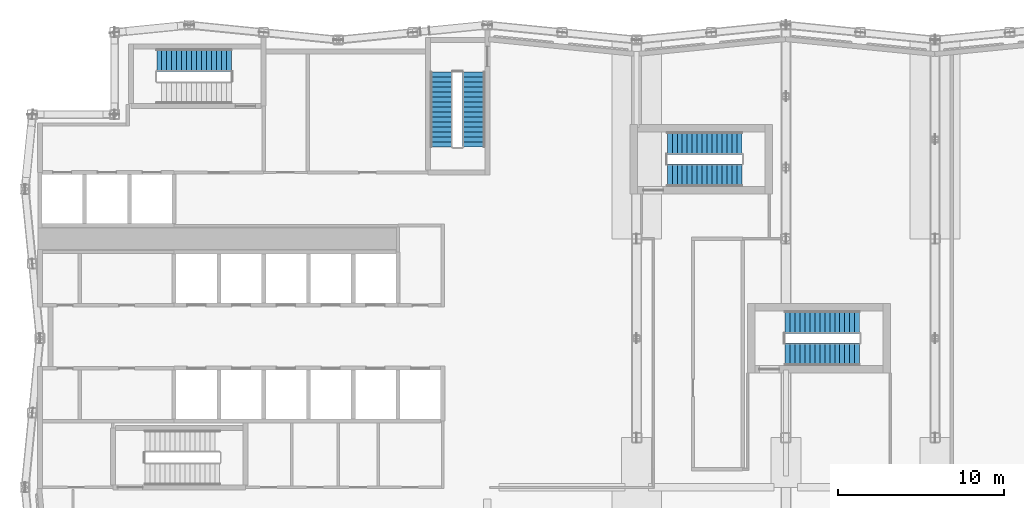
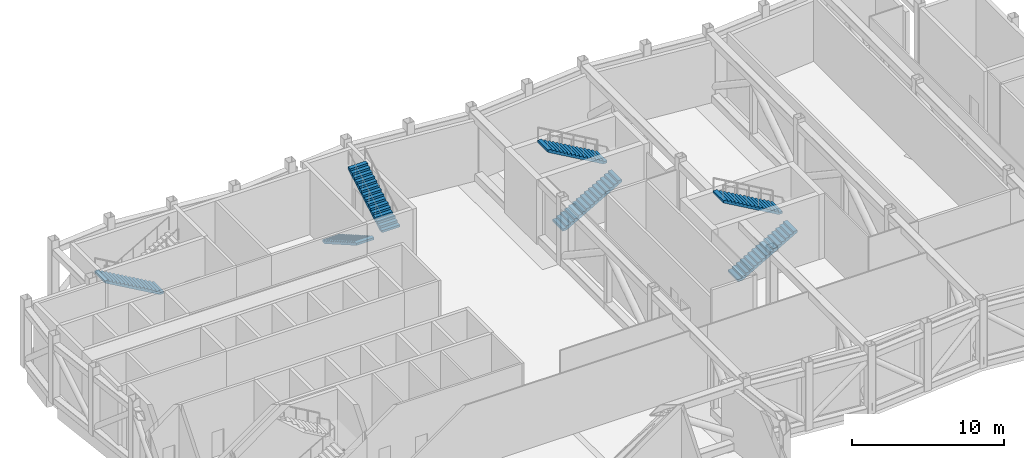
# One storey, part 13 of 22: 7 stair flights, 4 elements without a shape of their own.
"""IFC4 building model written with IfcOpenShell, lengths in metres."""

from ifc_helpers import new_model, si_unit, direction, frame, origin, place, context, subcontext, project, spatial, polyline, outline, extrude, material, type_object, element, aggregate, save


model = new_model("IFC4")

# Units and contexts
model_context = context("Model", 3, precision=1e-05, world=origin(), true_north=direction((0.0, 1.0)))
body_context = subcontext(model_context, "Body", "Model", "MODEL_VIEW")
ifc_project = project(units=[si_unit("LENGTHUNIT", "METRE"), si_unit("AREAUNIT", "SQUARE_METRE"), si_unit("VOLUMEUNIT", "CUBIC_METRE"), si_unit("PLANEANGLEUNIT", "RADIAN"), si_unit("MASSUNIT", "GRAM", prefix="KILO")], contexts=[model_context])

# Site, building, storey
site_placement = place(None, origin())
site = spatial("IfcSite", under=ifc_project, at=site_placement, CompositionType="ELEMENT")
building_placement = place(site_placement, origin())
building = spatial("IfcBuilding", under=site, at=building_placement, Name="Brondeck Convention Tower", CompositionType="ELEMENT")
storey_placement = place(building_placement, frame((0.0, 0.0, 32.0)))
storey = spatial("IfcBuildingStorey", under=building, at=storey_placement, Name="L05", CompositionType="ELEMENT", Elevation=32.0)

# Stair, stair flights
ifc_material = material(Name="Precast concrete C50/60", Category="concrete")
stair_type = type_object("IfcStairType", Name="Core stair 32 risers 171.88 mm riser 300 mm going 1350 wide", PredefinedType="HALF_TURN_STAIR", material=ifc_material)
stair_1_placement = place(storey_placement, origin())
stair_1 = element("IfcStair", 1, at=stair_1_placement, inside=storey, type_object=stair_type, Name="ST-2 L05 stair", PredefinedType="HALF_TURN_STAIR")
stair_flight_type = type_object("IfcStairFlightType", Name="Core stair flight 32 risers 171.88 mm riser 300 mm going 1350 wide", PredefinedType="STRAIGHT", material=ifc_material)
stair_flight_1_placement = place(storey_placement, frame((24.22509765625, 61.050048828125, 0.0), z_axis=(0.0, 0.0, 1.0), x_axis=(0.0, -1.0, 0.0)))
stair_flight_1 = element("IfcStairFlight", 2, at=stair_flight_1_placement, type_object=stair_flight_type, Name="ST-2 flight 1", NumberOfRisers=16, NumberOfTreads=15, PredefinedType="STRAIGHT", RiserHeight=0.171875, TreadLength=0.3, context=body_context, shape_type="SweptSolid", body=[
    extrude(outline(polyline([(0.0, 0.0), (0.0, 0.171875), (0.300048828125, 0.171875), (0.300048828125, 0.34375), (0.60009765625, 0.34375), (0.60009765625, 0.515625), (0.89990234375, 0.515625), (0.89990234375, 0.6875), (1.199951171875, 0.6875), (1.199951171875, 0.859375), (1.5, 0.859375), (1.5, 1.03125), (1.800048828125, 1.03125), (1.800048828125, 1.203125), (2.10009765625, 1.203125), (2.10009765625, 1.375), (2.39990234375, 1.375), (2.39990234375, 1.546875), (2.699951171875, 1.546875), (2.699951171875, 1.71875), (3.0, 1.71875), (3.0, 1.890625), (3.300048828125, 1.890625), (3.300048828125, 2.0625), (3.60009765625, 2.0625), (3.60009765625, 2.234375), (3.89990234375, 2.234375), (3.89990234375, 2.40625), (4.199951171875, 2.40625), (4.199951171875, 2.578125), (4.5, 2.578125), (4.5, 2.75), (4.5, 2.4052734375), (0.301513671875, 0.0), (0.0, 0.0)])), frame((0.0, 0.675048828125, 0.0), z_axis=(0.0, -1.0, 0.0), x_axis=(1.0, 0.0, 0.0)), (0.0, 0.0, 1.0), 1.35009765625),
])
stair_flight_2_placement = place(storey_placement, frame((26.175048828125, 56.550048828125, 2.75), z_axis=(0.0, 0.0, 1.0), x_axis=(0.0, 1.0, 0.0)))
stair_flight_2 = element("IfcStairFlight", 3, at=stair_flight_2_placement, type_object=stair_flight_type, Name="ST-2 flight 2", NumberOfRisers=16, NumberOfTreads=15, PredefinedType="STRAIGHT", RiserHeight=0.171875, TreadLength=0.3, context=body_context, shape_type="SweptSolid", body=[
    extrude(outline(polyline([(0.0, 0.0), (0.0, 0.171875), (0.300048828125, 0.171875), (0.300048828125, 0.34375), (0.60009765625, 0.34375), (0.60009765625, 0.515625), (0.89990234375, 0.515625), (0.89990234375, 0.6875), (1.199951171875, 0.6875), (1.199951171875, 0.859375), (1.5, 0.859375), (1.5, 1.03125), (1.800048828125, 1.03125), (1.800048828125, 1.203125), (2.10009765625, 1.203125), (2.10009765625, 1.375), (2.39990234375, 1.375), (2.39990234375, 1.546875), (2.699951171875, 1.546875), (2.699951171875, 1.71875), (3.0, 1.71875), (3.0, 1.890625), (3.300048828125, 1.890625), (3.300048828125, 2.0625), (3.60009765625, 2.0625), (3.60009765625, 2.234375), (3.89990234375, 2.234375), (3.89990234375, 2.40625), (4.199951171875, 2.40625), (4.199951171875, 2.578125), (4.5, 2.578125), (4.5, 2.75), (4.5, 2.4052734375), (0.301513671875, 0.0), (0.0, 0.0)])), frame((0.0, 0.675048828125, 0.0), z_axis=(0.0, -1.0, 0.0), x_axis=(1.0, 0.0, 0.0)), (0.0, 0.0, 1.0), 1.35009765625),
])
aggregate(stair_1, [stair_flight_1, stair_flight_2])

# Stair, stair flight
stair_2_placement = place(storey_placement, origin())
stair_2 = element("IfcStair", 4, at=stair_2_placement, inside=storey, type_object=stair_type, Name="ST-3 L05 stair", PredefinedType="HALF_TURN_STAIR")
stair_flight_3_placement = place(storey_placement, frame((11.550048828125, 61.77490234375, 0.0), z_axis=(0.0, 0.0, 1.0), x_axis=(-1.0, 0.0, 0.0)))
stair_flight_3 = element("IfcStairFlight", 5, at=stair_flight_3_placement, type_object=stair_flight_type, Name="ST-3 flight 1", NumberOfRisers=16, NumberOfTreads=15, PredefinedType="STRAIGHT", RiserHeight=0.171875, TreadLength=0.3, context=body_context, shape_type="SweptSolid", body=[
    extrude(outline(polyline([(0.0, 0.0), (0.0, 0.171875), (0.300048828125, 0.171875), (0.300048828125, 0.34375), (0.60009765625, 0.34375), (0.60009765625, 0.515625), (0.89990234375, 0.515625), (0.89990234375, 0.6875), (1.199951171875, 0.6875), (1.199951171875, 0.859375), (1.5, 0.859375), (1.5, 1.03125), (1.800048828125, 1.03125), (1.800048828125, 1.203125), (2.10009765625, 1.203125), (2.10009765625, 1.375), (2.39990234375, 1.375), (2.39990234375, 1.546875), (2.699951171875, 1.546875), (2.699951171875, 1.71875), (3.0, 1.71875), (3.0, 1.890625), (3.300048828125, 1.890625), (3.300048828125, 2.0625), (3.60009765625, 2.0625), (3.60009765625, 2.234375), (3.89990234375, 2.234375), (3.89990234375, 2.40625), (4.199951171875, 2.40625), (4.199951171875, 2.578125), (4.5, 2.578125), (4.5, 2.75), (4.5, 2.4052734375), (0.301513671875, 0.0), (0.0, 0.0)])), frame((0.0, 0.675048828125, 0.0), z_axis=(0.0, -1.0, 0.0), x_axis=(1.0, 0.0, 0.0)), (0.0, 0.0, 1.0), 1.35009765625),
])
aggregate(stair_2, [stair_flight_3])

# Stair, stair flights
stair_3_placement = place(storey_placement, origin())
stair_3 = element("IfcStair", 6, at=stair_3_placement, inside=storey, type_object=stair_type, Name="ST-AE L05 stair", PredefinedType="HALF_TURN_STAIR")
stair_flight_4_placement = place(storey_placement, frame((37.85009765625, 54.824951171875, 0.0), z_axis=(0.0, 0.0, 1.0), x_axis=(1.0, 0.0, 0.0)))
stair_flight_4 = element("IfcStairFlight", 7, at=stair_flight_4_placement, type_object=stair_flight_type, Name="ST-AE flight 1", NumberOfRisers=16, NumberOfTreads=15, PredefinedType="STRAIGHT", RiserHeight=0.171875, TreadLength=0.3, context=body_context, shape_type="SweptSolid", body=[
    extrude(outline(polyline([(0.0, 0.0), (0.0, 0.171875), (0.300048828125, 0.171875), (0.300048828125, 0.34375), (0.60009765625, 0.34375), (0.60009765625, 0.515625), (0.89990234375, 0.515625), (0.89990234375, 0.6875), (1.199951171875, 0.6875), (1.199951171875, 0.859375), (1.5, 0.859375), (1.5, 1.03125), (1.800048828125, 1.03125), (1.800048828125, 1.203125), (2.10009765625, 1.203125), (2.10009765625, 1.375), (2.39990234375, 1.375), (2.39990234375, 1.546875), (2.699951171875, 1.546875), (2.699951171875, 1.71875), (3.0, 1.71875), (3.0, 1.890625), (3.300048828125, 1.890625), (3.300048828125, 2.0625), (3.60009765625, 2.0625), (3.60009765625, 2.234375), (3.89990234375, 2.234375), (3.89990234375, 2.40625), (4.199951171875, 2.40625), (4.199951171875, 2.578125), (4.5, 2.578125), (4.5, 2.75), (4.5, 2.4052734375), (0.301513671875, 0.0), (0.0, 0.0)])), frame((0.0, 0.675048828125, 0.0), z_axis=(0.0, -1.0, 0.0), x_axis=(1.0, 0.0, 0.0)), (0.0, 0.0, 1.0), 1.35009765625),
])
stair_flight_5_placement = place(storey_placement, frame((42.35009765625, 56.77490234375, 2.75), z_axis=(0.0, 0.0, 1.0), x_axis=(-1.0, 0.0, 0.0)))
stair_flight_5 = element("IfcStairFlight", 8, at=stair_flight_5_placement, type_object=stair_flight_type, Name="ST-AE flight 2", NumberOfRisers=16, NumberOfTreads=15, PredefinedType="STRAIGHT", RiserHeight=0.171875, TreadLength=0.3, context=body_context, shape_type="SweptSolid", body=[
    extrude(outline(polyline([(0.0, 0.0), (0.0, 0.171875), (0.300048828125, 0.171875), (0.300048828125, 0.34375), (0.60009765625, 0.34375), (0.60009765625, 0.515625), (0.89990234375, 0.515625), (0.89990234375, 0.6875), (1.199951171875, 0.6875), (1.199951171875, 0.859375), (1.5, 0.859375), (1.5, 1.03125), (1.800048828125, 1.03125), (1.800048828125, 1.203125), (2.10009765625, 1.203125), (2.10009765625, 1.375), (2.39990234375, 1.375), (2.39990234375, 1.546875), (2.699951171875, 1.546875), (2.699951171875, 1.71875), (3.0, 1.71875), (3.0, 1.890625), (3.300048828125, 1.890625), (3.300048828125, 2.0625), (3.60009765625, 2.0625), (3.60009765625, 2.234375), (3.89990234375, 2.234375), (3.89990234375, 2.40625), (4.199951171875, 2.40625), (4.199951171875, 2.578125), (4.5, 2.578125), (4.5, 2.75), (4.5, 2.4052734375), (0.301513671875, 0.0), (0.0, 0.0)])), frame((0.0, 0.675048828125, 0.0), z_axis=(0.0, -1.0, 0.0), x_axis=(1.0, 0.0, 0.0)), (0.0, 0.0, 1.0), 1.35009765625),
])
aggregate(stair_3, [stair_flight_4, stair_flight_5])

stair_4_placement = place(storey_placement, origin())
stair_4 = element("IfcStair", 9, at=stair_4_placement, inside=storey, type_object=stair_type, Name="ST-AF L05 stair", PredefinedType="HALF_TURN_STAIR")
stair_flight_6_placement = place(storey_placement, frame((44.949951171875, 44.02490234375, 0.0), z_axis=(0.0, 0.0, 1.0), x_axis=(1.0, 0.0, 0.0)))
stair_flight_6 = element("IfcStairFlight", 10, at=stair_flight_6_placement, type_object=stair_flight_type, Name="ST-AF flight 1", NumberOfRisers=16, NumberOfTreads=15, PredefinedType="STRAIGHT", RiserHeight=0.171875, TreadLength=0.3, context=body_context, shape_type="SweptSolid", body=[
    extrude(outline(polyline([(0.0, 0.0), (0.0, 0.171875), (0.300048828125, 0.171875), (0.300048828125, 0.34375), (0.60009765625, 0.34375), (0.60009765625, 0.515625), (0.89990234375, 0.515625), (0.89990234375, 0.6875), (1.199951171875, 0.6875), (1.199951171875, 0.859375), (1.5, 0.859375), (1.5, 1.03125), (1.800048828125, 1.03125), (1.800048828125, 1.203125), (2.10009765625, 1.203125), (2.10009765625, 1.375), (2.39990234375, 1.375), (2.39990234375, 1.546875), (2.699951171875, 1.546875), (2.699951171875, 1.71875), (3.0, 1.71875), (3.0, 1.890625), (3.300048828125, 1.890625), (3.300048828125, 2.0625), (3.60009765625, 2.0625), (3.60009765625, 2.234375), (3.89990234375, 2.234375), (3.89990234375, 2.40625), (4.199951171875, 2.40625), (4.199951171875, 2.578125), (4.5, 2.578125), (4.5, 2.75), (4.5, 2.4052734375), (0.301513671875, 0.0), (0.0, 0.0)])), frame((0.0, 0.675048828125, 0.0), z_axis=(0.0, -1.0, 0.0), x_axis=(1.0, 0.0, 0.0)), (0.0, 0.0, 1.0), 1.35009765625),
])
stair_flight_7_placement = place(storey_placement, frame((49.449951171875, 45.97509765625, 2.75), z_axis=(0.0, 0.0, 1.0), x_axis=(-1.0, 0.0, 0.0)))
stair_flight_7 = element("IfcStairFlight", 11, at=stair_flight_7_placement, type_object=stair_flight_type, Name="ST-AF flight 2", NumberOfRisers=16, NumberOfTreads=15, PredefinedType="STRAIGHT", RiserHeight=0.171875, TreadLength=0.3, context=body_context, shape_type="SweptSolid", body=[
    extrude(outline(polyline([(0.0, 0.0), (0.0, 0.171875), (0.300048828125, 0.171875), (0.300048828125, 0.34375), (0.60009765625, 0.34375), (0.60009765625, 0.515625), (0.89990234375, 0.515625), (0.89990234375, 0.6875), (1.199951171875, 0.6875), (1.199951171875, 0.859375), (1.5, 0.859375), (1.5, 1.03125), (1.800048828125, 1.03125), (1.800048828125, 1.203125), (2.10009765625, 1.203125), (2.10009765625, 1.375), (2.39990234375, 1.375), (2.39990234375, 1.546875), (2.699951171875, 1.546875), (2.699951171875, 1.71875), (3.0, 1.71875), (3.0, 1.890625), (3.300048828125, 1.890625), (3.300048828125, 2.0625), (3.60009765625, 2.0625), (3.60009765625, 2.234375), (3.89990234375, 2.234375), (3.89990234375, 2.40625), (4.199951171875, 2.40625), (4.199951171875, 2.578125), (4.5, 2.578125), (4.5, 2.75), (4.5, 2.4052734375), (0.301513671875, 0.0), (0.0, 0.0)])), frame((0.0, 0.675048828125, 0.0), z_axis=(0.0, -1.0, 0.0), x_axis=(1.0, 0.0, 0.0)), (0.0, 0.0, 1.0), 1.35009765625),
])
aggregate(stair_4, [stair_flight_6, stair_flight_7])

save(model, "model.ifc")
